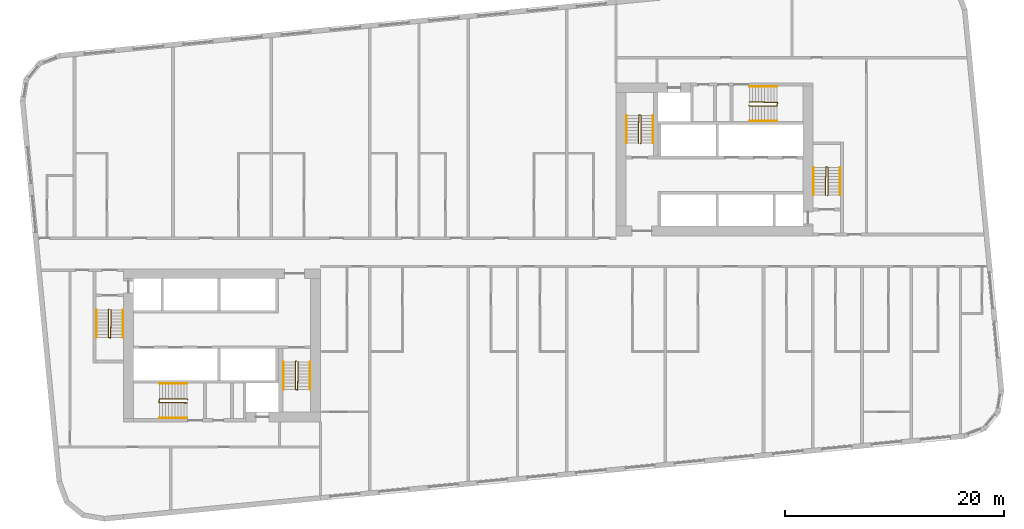
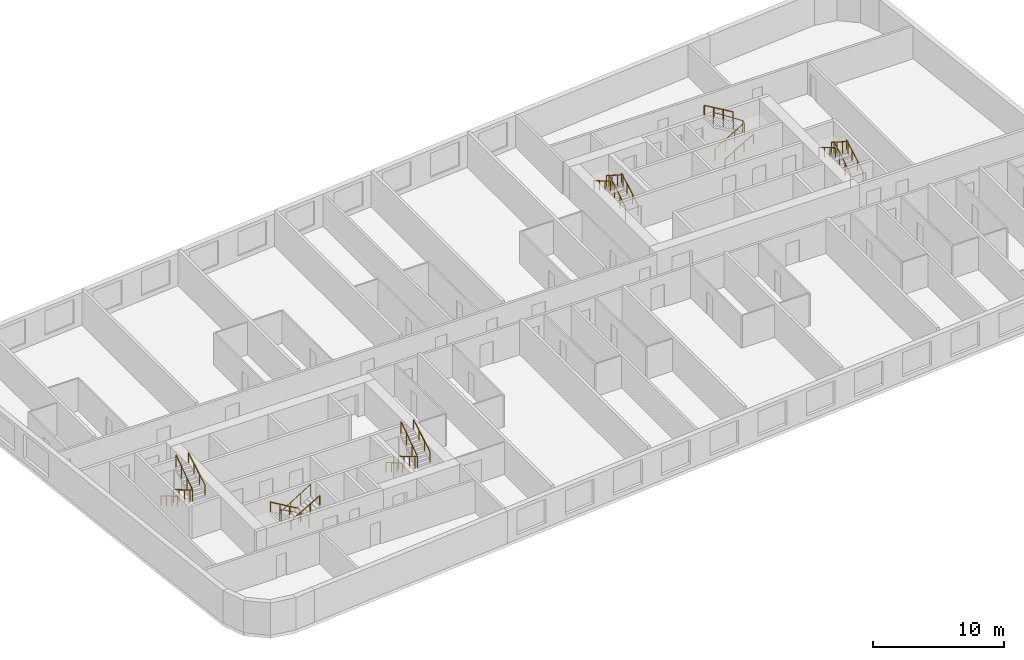
# One storey, part 12 of 12: 18 railings.
"""IFC4 building model written with IfcOpenShell, lengths in metres."""

from ifc_helpers import new_model, si_unit, direction, frame, origin, origin_2d, place, context, subcontext, project, spatial, circle, extrude, material, type_object, element, save


model = new_model("IFC4")

# Units and contexts
model_context = context("Model", 3, precision=1e-05, world=origin(), true_north=direction((0.0, 1.0)))
body_context = subcontext(model_context, "Body", "Model", "MODEL_VIEW")
ifc_project = project(units=[si_unit("LENGTHUNIT", "METRE"), si_unit("AREAUNIT", "SQUARE_METRE"), si_unit("VOLUMEUNIT", "CUBIC_METRE"), si_unit("PLANEANGLEUNIT", "RADIAN"), si_unit("MASSUNIT", "GRAM", prefix="KILO")], contexts=[model_context])

# Site, building, storey
site_placement = place(None, origin())
site = spatial("IfcSite", under=ifc_project, at=site_placement, CompositionType="ELEMENT")
building_placement = place(site_placement, origin())
building = spatial("IfcBuilding", under=site, at=building_placement, Name="Kajstack Hotel Tower", CompositionType="ELEMENT")
storey_placement = place(building_placement, frame((0.0, 0.0, 133.89990234375)))
storey = spatial("IfcBuildingStorey", under=building, at=storey_placement, Name="L30", CompositionType="ELEMENT", Elevation=133.89990234375)

# Railings
ifc_material = material(Name="Steel S355J2", Category="steel")
railing_type_1 = type_object("IfcRailingType", Name="Stair guard 1100", PredefinedType="GUARDRAIL", material=ifc_material)
railing_1_placement = place(storey_placement, frame((-32.85009765625, -5.199951171875, 0.0)))
element("IfcRailing", 1, at=railing_1_placement, inside=storey, type_object=railing_type_1, Name="L30 W1 stair guard 1", PredefinedType="GUARDRAIL", context=body_context, shape_type="SweptSolid", body=[
    extrude(circle(Radius=0.02392578125, at=origin_2d()), frame((0.0, 0.0, 1.076171875), z_axis=(-0.277450376394, -0.278810427259, 0.919394384522), x_axis=(0.708833529934, -0.705375805398, 0.0)), (0.0, 0.0, 1.0), 0.179443359375),
    extrude(circle(Radius=0.02392578125, at=origin_2d()), frame((-0.0498046875, -0.050048828125, 1.2412109375), z_axis=(0.0, -0.86152411907, 0.507716645641), x_axis=(1.0, 0.0, 0.0)), (0.0, 0.0, 1.0), 2.925048828125),
    extrude(circle(Radius=0.02392578125, at=origin_2d()), frame((-0.0498046875, -2.570068359375, 2.72607421875), z_axis=(0.970072785993, -0.242814311512, 0.0), x_axis=(0.242814311512, 0.970072785993, 0.0)), (0.0, 0.0, 1.0), 0.2060546875),
    extrude(circle(Radius=0.02392578125, at=origin_2d()), frame((0.150146484375, -2.6201171875, 2.72607421875), z_axis=(0.016385308676, 0.841405582595, 0.540155687962), x_axis=(-0.999810440751, 0.019470042781, 0.0)), (0.0, 0.0, 1.0), 3.054443359375),
    extrude(circle(Radius=0.02099609375, at=origin_2d()), origin(), (0.0, 0.0, 1.0), 1.052001953125),
    extrude(circle(Radius=0.02099609375, at=origin_2d()), frame((-0.0498046875, -0.050048828125, 0.1650390625)), (0.0, 0.0, 1.0), 1.052001953125),
    extrude(circle(Radius=0.02099609375, at=origin_2d()), frame((-0.0498046875, -0.89013671875, 0.66015625)), (0.0, 0.0, 1.0), 1.052001953125),
    extrude(circle(Radius=0.02099609375, at=origin_2d()), frame((-0.0498046875, -1.72998046875, 1.155029296875)), (0.0, 0.0, 1.0), 1.052001953125),
    extrude(circle(Radius=0.02099609375, at=origin_2d()), frame((-0.0498046875, -2.570068359375, 1.650146484375)), (0.0, 0.0, 1.0), 1.052001953125),
    extrude(circle(Radius=0.02099609375, at=origin_2d()), frame((0.150146484375, -2.6201171875, 1.650146484375)), (0.0, 0.0, 1.0), 1.052001953125),
    extrude(circle(Radius=0.02099609375, at=origin_2d()), frame((0.166748046875, -1.763427734375, 2.2001953125)), (0.0, 0.0, 1.0), 1.052001953125),
    extrude(circle(Radius=0.02099609375, at=origin_2d()), frame((0.18359375, -0.90673828125, 2.75)), (0.0, 0.0, 1.0), 1.052001953125),
    extrude(circle(Radius=0.02099609375, at=origin_2d()), frame((0.2001953125, -0.050048828125, 3.300048828125)), (0.0, 0.0, 1.0), 1.052001953125),
])
railing_2_placement = place(storey_placement, frame((-15.75, -9.949951171875, 0.0)))
element("IfcRailing", 2, at=railing_2_placement, inside=storey, type_object=railing_type_1, Name="L30 W2 stair guard 1", PredefinedType="GUARDRAIL", context=body_context, shape_type="SweptSolid", body=[
    extrude(circle(Radius=0.02392578125, at=origin_2d()), frame((0.0, 0.0, 1.076171875), z_axis=(-0.278705021027, -0.278705021027, 0.919046801044), x_axis=(0.707106781187, -0.707106781187, 0.0)), (0.0, 0.0, 1.0), 0.1796875),
    extrude(circle(Radius=0.02392578125, at=origin_2d()), frame((-0.050048828125, -0.050048828125, 1.2412109375), z_axis=(0.0, -0.86152411907, 0.507716645641), x_axis=(1.0, 0.0, 0.0)), (0.0, 0.0, 1.0), 2.925048828125),
    extrude(circle(Radius=0.02392578125, at=origin_2d()), frame((-0.050048828125, -2.570068359375, 2.72607421875), z_axis=(0.970072785993, -0.242814311512, 0.0), x_axis=(0.242814311512, 0.970072785993, 0.0)), (0.0, 0.0, 1.0), 0.2060546875),
    extrude(circle(Radius=0.02392578125, at=origin_2d()), frame((0.14990234375, -2.6201171875, 2.72607421875), z_axis=(0.016385308676, 0.841405582595, 0.540155687962), x_axis=(-0.999810440751, 0.019470042781, 0.0)), (0.0, 0.0, 1.0), 3.054443359375),
    extrude(circle(Radius=0.02099609375, at=origin_2d()), origin(), (0.0, 0.0, 1.0), 1.052001953125),
    extrude(circle(Radius=0.02099609375, at=origin_2d()), frame((-0.050048828125, -0.050048828125, 0.1650390625)), (0.0, 0.0, 1.0), 1.052001953125),
    extrude(circle(Radius=0.02099609375, at=origin_2d()), frame((-0.050048828125, -0.89013671875, 0.66015625)), (0.0, 0.0, 1.0), 1.052001953125),
    extrude(circle(Radius=0.02099609375, at=origin_2d()), frame((-0.050048828125, -1.72998046875, 1.155029296875)), (0.0, 0.0, 1.0), 1.052001953125),
    extrude(circle(Radius=0.02099609375, at=origin_2d()), frame((-0.050048828125, -2.570068359375, 1.650146484375)), (0.0, 0.0, 1.0), 1.052001953125),
    extrude(circle(Radius=0.02099609375, at=origin_2d()), frame((0.14990234375, -2.6201171875, 1.650146484375)), (0.0, 0.0, 1.0), 1.052001953125),
    extrude(circle(Radius=0.02099609375, at=origin_2d()), frame((0.16650390625, -1.763427734375, 2.2001953125)), (0.0, 0.0, 1.0), 1.052001953125),
    extrude(circle(Radius=0.02099609375, at=origin_2d()), frame((0.183349609375, -0.90673828125, 2.75)), (0.0, 0.0, 1.0), 1.052001953125),
    extrude(circle(Radius=0.02099609375, at=origin_2d()), frame((0.199951171875, -0.050048828125, 3.300048828125)), (0.0, 0.0, 1.0), 1.052001953125),
])
railing_3_placement = place(storey_placement, frame((-25.64990234375, -13.449951171875, 0.0)))
element("IfcRailing", 3, at=railing_3_placement, inside=storey, type_object=railing_type_1, Name="L30 W3 stair guard 1", PredefinedType="GUARDRAIL", context=body_context, shape_type="SweptSolid", body=[
    extrude(circle(Radius=0.02392578125, at=origin_2d()), frame((0.0, 0.0, 1.076171875), z_axis=(-0.278705021027, 0.278705021027, 0.919046801044), x_axis=(-0.707106781187, -0.707106781187, 0.0)), (0.0, 0.0, 1.0), 0.1796875),
    extrude(circle(Radius=0.02392578125, at=origin_2d()), frame((-0.050048828125, 0.050048828125, 1.2412109375), z_axis=(-0.86152411907, 0.0, 0.507716645641), x_axis=(0.0, -1.0, 0.0)), (0.0, 0.0, 1.0), 2.925048828125),
    extrude(circle(Radius=0.02392578125, at=origin_2d()), frame((-2.570068359375, 0.050048828125, 2.72607421875), z_axis=(-0.164529134168, -0.986372223864, 0.0), x_axis=(0.986372223864, -0.164529134168, 0.0)), (0.0, 0.0, 1.0), 0.30419921875),
    extrude(circle(Radius=0.02392578125, at=origin_2d()), frame((-2.6201171875, -0.25, 2.72607421875), z_axis=(0.841405582595, -0.016385308676, 0.540155687962), x_axis=(0.019470042781, 0.999810440751, 0.0)), (0.0, 0.0, 1.0), 3.054443359375),
    extrude(circle(Radius=0.02099609375, at=origin_2d()), origin(), (0.0, 0.0, 1.0), 1.052001953125),
    extrude(circle(Radius=0.02099609375, at=origin_2d()), frame((-0.050048828125, 0.050048828125, 0.1650390625)), (0.0, 0.0, 1.0), 1.052001953125),
    extrude(circle(Radius=0.02099609375, at=origin_2d()), frame((-0.89013671875, 0.050048828125, 0.66015625)), (0.0, 0.0, 1.0), 1.052001953125),
    extrude(circle(Radius=0.02099609375, at=origin_2d()), frame((-1.72998046875, 0.050048828125, 1.155029296875)), (0.0, 0.0, 1.0), 1.052001953125),
    extrude(circle(Radius=0.02099609375, at=origin_2d()), frame((-2.570068359375, 0.050048828125, 1.650146484375)), (0.0, 0.0, 1.0), 1.052001953125),
    extrude(circle(Radius=0.02099609375, at=origin_2d()), frame((-2.6201171875, -0.25, 1.650146484375)), (0.0, 0.0, 1.0), 1.052001953125),
    extrude(circle(Radius=0.02099609375, at=origin_2d()), frame((-1.763427734375, -0.2666015625, 2.2001953125)), (0.0, 0.0, 1.0), 1.052001953125),
    extrude(circle(Radius=0.02099609375, at=origin_2d()), frame((-0.90673828125, -0.283447265625, 2.75)), (0.0, 0.0, 1.0), 1.052001953125),
    extrude(circle(Radius=0.02099609375, at=origin_2d()), frame((-0.050048828125, -0.300048828125, 3.300048828125)), (0.0, 0.0, 1.0), 1.052001953125),
])
railing_4_placement = place(storey_placement, frame((32.85009765625, 5.199951171875, 0.0)))
element("IfcRailing", 4, at=railing_4_placement, inside=storey, type_object=railing_type_1, Name="L30 E1 stair guard 1", PredefinedType="GUARDRAIL", context=body_context, shape_type="SweptSolid", body=[
    extrude(circle(Radius=0.02392578125, at=origin_2d()), frame((0.0, 0.0, 1.076171875), z_axis=(0.277450376394, 0.278810427259, 0.919394384522), x_axis=(-0.708833529934, 0.705375805398, 0.0)), (0.0, 0.0, 1.0), 0.179443359375),
    extrude(circle(Radius=0.02392578125, at=origin_2d()), frame((0.0498046875, 0.050048828125, 1.2412109375), z_axis=(0.0, 0.86152411907, 0.507716645641), x_axis=(-1.0, 0.0, 0.0)), (0.0, 0.0, 1.0), 2.925048828125),
    extrude(circle(Radius=0.02392578125, at=origin_2d()), frame((0.0498046875, 2.570068359375, 2.72607421875), z_axis=(-0.970072785993, 0.242814311512, 0.0), x_axis=(-0.242814311512, -0.970072785993, 0.0)), (0.0, 0.0, 1.0), 0.2060546875),
    extrude(circle(Radius=0.02392578125, at=origin_2d()), frame((-0.150146484375, 2.6201171875, 2.72607421875), z_axis=(-0.016385308676, -0.841405582595, 0.540155687962), x_axis=(0.999810440751, -0.019470042781, 0.0)), (0.0, 0.0, 1.0), 3.054443359375),
    extrude(circle(Radius=0.02099609375, at=origin_2d()), origin(), (0.0, 0.0, 1.0), 1.052001953125),
    extrude(circle(Radius=0.02099609375, at=origin_2d()), frame((0.0498046875, 0.050048828125, 0.1650390625)), (0.0, 0.0, 1.0), 1.052001953125),
    extrude(circle(Radius=0.02099609375, at=origin_2d()), frame((0.0498046875, 0.89013671875, 0.66015625)), (0.0, 0.0, 1.0), 1.052001953125),
    extrude(circle(Radius=0.02099609375, at=origin_2d()), frame((0.0498046875, 1.72998046875, 1.155029296875)), (0.0, 0.0, 1.0), 1.052001953125),
    extrude(circle(Radius=0.02099609375, at=origin_2d()), frame((0.0498046875, 2.570068359375, 1.650146484375)), (0.0, 0.0, 1.0), 1.052001953125),
    extrude(circle(Radius=0.02099609375, at=origin_2d()), frame((-0.150146484375, 2.6201171875, 1.650146484375)), (0.0, 0.0, 1.0), 1.052001953125),
    extrude(circle(Radius=0.02099609375, at=origin_2d()), frame((-0.166748046875, 1.763427734375, 2.2001953125)), (0.0, 0.0, 1.0), 1.052001953125),
    extrude(circle(Radius=0.02099609375, at=origin_2d()), frame((-0.18359375, 0.90673828125, 2.75)), (0.0, 0.0, 1.0), 1.052001953125),
    extrude(circle(Radius=0.02099609375, at=origin_2d()), frame((-0.2001953125, 0.050048828125, 3.300048828125)), (0.0, 0.0, 1.0), 1.052001953125),
])
railing_5_placement = place(storey_placement, frame((15.75, 9.949951171875, 0.0)))
element("IfcRailing", 5, at=railing_5_placement, inside=storey, type_object=railing_type_1, Name="L30 E2 stair guard 1", PredefinedType="GUARDRAIL", context=body_context, shape_type="SweptSolid", body=[
    extrude(circle(Radius=0.02392578125, at=origin_2d()), frame((0.0, 0.0, 1.076171875), z_axis=(0.278705021027, 0.278705021027, 0.919046801044), x_axis=(-0.707106781187, 0.707106781187, 0.0)), (0.0, 0.0, 1.0), 0.1796875),
    extrude(circle(Radius=0.02392578125, at=origin_2d()), frame((0.050048828125, 0.050048828125, 1.2412109375), z_axis=(0.0, 0.86152411907, 0.507716645641), x_axis=(-1.0, 0.0, 0.0)), (0.0, 0.0, 1.0), 2.925048828125),
    extrude(circle(Radius=0.02392578125, at=origin_2d()), frame((0.050048828125, 2.570068359375, 2.72607421875), z_axis=(-0.970072785993, 0.242814311512, 0.0), x_axis=(-0.242814311512, -0.970072785993, 0.0)), (0.0, 0.0, 1.0), 0.2060546875),
    extrude(circle(Radius=0.02392578125, at=origin_2d()), frame((-0.14990234375, 2.6201171875, 2.72607421875), z_axis=(-0.016385308676, -0.841405582595, 0.540155687962), x_axis=(0.999810440751, -0.019470042781, 0.0)), (0.0, 0.0, 1.0), 3.054443359375),
    extrude(circle(Radius=0.02099609375, at=origin_2d()), origin(), (0.0, 0.0, 1.0), 1.052001953125),
    extrude(circle(Radius=0.02099609375, at=origin_2d()), frame((0.050048828125, 0.050048828125, 0.1650390625)), (0.0, 0.0, 1.0), 1.052001953125),
    extrude(circle(Radius=0.02099609375, at=origin_2d()), frame((0.050048828125, 0.89013671875, 0.66015625)), (0.0, 0.0, 1.0), 1.052001953125),
    extrude(circle(Radius=0.02099609375, at=origin_2d()), frame((0.050048828125, 1.72998046875, 1.155029296875)), (0.0, 0.0, 1.0), 1.052001953125),
    extrude(circle(Radius=0.02099609375, at=origin_2d()), frame((0.050048828125, 2.570068359375, 1.650146484375)), (0.0, 0.0, 1.0), 1.052001953125),
    extrude(circle(Radius=0.02099609375, at=origin_2d()), frame((-0.14990234375, 2.6201171875, 1.650146484375)), (0.0, 0.0, 1.0), 1.052001953125),
    extrude(circle(Radius=0.02099609375, at=origin_2d()), frame((-0.16650390625, 1.763427734375, 2.2001953125)), (0.0, 0.0, 1.0), 1.052001953125),
    extrude(circle(Radius=0.02099609375, at=origin_2d()), frame((-0.183349609375, 0.90673828125, 2.75)), (0.0, 0.0, 1.0), 1.052001953125),
    extrude(circle(Radius=0.02099609375, at=origin_2d()), frame((-0.199951171875, 0.050048828125, 3.300048828125)), (0.0, 0.0, 1.0), 1.052001953125),
])
railing_6_placement = place(storey_placement, frame((25.64990234375, 13.449951171875, 0.0)))
element("IfcRailing", 6, at=railing_6_placement, inside=storey, type_object=railing_type_1, Name="L30 E3 stair guard 1", PredefinedType="GUARDRAIL", context=body_context, shape_type="SweptSolid", body=[
    extrude(circle(Radius=0.02392578125, at=origin_2d()), frame((0.0, 0.0, 1.076171875), z_axis=(0.278705021027, -0.278705021027, 0.919046801044), x_axis=(0.707106781187, 0.707106781187, 0.0)), (0.0, 0.0, 1.0), 0.1796875),
    extrude(circle(Radius=0.02392578125, at=origin_2d()), frame((0.050048828125, -0.050048828125, 1.2412109375), z_axis=(0.86152411907, 0.0, 0.507716645641), x_axis=(0.0, 1.0, 0.0)), (0.0, 0.0, 1.0), 2.925048828125),
    extrude(circle(Radius=0.02392578125, at=origin_2d()), frame((2.570068359375, -0.050048828125, 2.72607421875), z_axis=(0.164529134168, 0.986372223864, 0.0), x_axis=(-0.986372223864, 0.164529134168, 0.0)), (0.0, 0.0, 1.0), 0.30419921875),
    extrude(circle(Radius=0.02392578125, at=origin_2d()), frame((2.6201171875, 0.25, 2.72607421875), z_axis=(-0.841405582595, 0.016385308676, 0.540155687962), x_axis=(-0.019470042781, -0.999810440751, 0.0)), (0.0, 0.0, 1.0), 3.054443359375),
    extrude(circle(Radius=0.02099609375, at=origin_2d()), origin(), (0.0, 0.0, 1.0), 1.052001953125),
    extrude(circle(Radius=0.02099609375, at=origin_2d()), frame((0.050048828125, -0.050048828125, 0.1650390625)), (0.0, 0.0, 1.0), 1.052001953125),
    extrude(circle(Radius=0.02099609375, at=origin_2d()), frame((0.89013671875, -0.050048828125, 0.66015625)), (0.0, 0.0, 1.0), 1.052001953125),
    extrude(circle(Radius=0.02099609375, at=origin_2d()), frame((1.72998046875, -0.050048828125, 1.155029296875)), (0.0, 0.0, 1.0), 1.052001953125),
    extrude(circle(Radius=0.02099609375, at=origin_2d()), frame((2.570068359375, -0.050048828125, 1.650146484375)), (0.0, 0.0, 1.0), 1.052001953125),
    extrude(circle(Radius=0.02099609375, at=origin_2d()), frame((2.6201171875, 0.25, 1.650146484375)), (0.0, 0.0, 1.0), 1.052001953125),
    extrude(circle(Radius=0.02099609375, at=origin_2d()), frame((1.763427734375, 0.2666015625, 2.2001953125)), (0.0, 0.0, 1.0), 1.052001953125),
    extrude(circle(Radius=0.02099609375, at=origin_2d()), frame((0.90673828125, 0.283447265625, 2.75)), (0.0, 0.0, 1.0), 1.052001953125),
    extrude(circle(Radius=0.02099609375, at=origin_2d()), frame((0.050048828125, 0.300048828125, 3.300048828125)), (0.0, 0.0, 1.0), 1.052001953125),
])
railing_type_2 = type_object("IfcRailingType", Name="Stair handrail 900", PredefinedType="HANDRAIL", material=ifc_material)
railing_7_placement = place(storey_placement, frame((-34.0, -5.25, 0.1650390625)))
element("IfcRailing", 7, at=railing_7_placement, inside=storey, type_object=railing_type_2, Name="L30 W1 stair handrail 1", PredefinedType="HANDRAIL", context=body_context, shape_type="SweptSolid", body=[
    extrude(circle(Radius=0.02392578125, at=origin_2d()), frame((0.0, 0.0, 0.8759765625), z_axis=(0.0, -0.86152411907, 0.507716645641), x_axis=(1.0, 0.0, 0.0)), (0.0, 0.0, 1.0), 2.925048828125),
    extrude(circle(Radius=0.02099609375, at=origin_2d()), origin(), (0.0, 0.0, 1.0), 0.851806640625),
    extrude(circle(Radius=0.02099609375, at=origin_2d()), frame((0.0, -0.840087890625, 0.4951171875)), (0.0, 0.0, 1.0), 0.851806640625),
    extrude(circle(Radius=0.02099609375, at=origin_2d()), frame((0.0, -1.679931640625, 0.989990234375)), (0.0, 0.0, 1.0), 0.851806640625),
    extrude(circle(Radius=0.02099609375, at=origin_2d()), frame((0.0, -2.52001953125, 1.485107421875)), (0.0, 0.0, 1.0), 0.851806640625),
])
railing_8_placement = place(storey_placement, frame((-31.550048828125, -7.77001953125, 1.815185546875)))
element("IfcRailing", 8, at=railing_8_placement, inside=storey, type_object=railing_type_2, Name="L30 W1 stair handrail 2", PredefinedType="HANDRAIL", context=body_context, shape_type="SweptSolid", body=[
    extrude(circle(Radius=0.02392578125, at=origin_2d()), frame((0.0, 0.0, 0.8759765625), z_axis=(0.0, 0.861560626758, 0.507654692109), x_axis=(-1.0, 0.0, 0.0)), (0.0, 0.0, 1.0), 2.925048828125),
    extrude(circle(Radius=0.02099609375, at=origin_2d()), origin(), (0.0, 0.0, 1.0), 0.851806640625),
    extrude(circle(Radius=0.02099609375, at=origin_2d()), frame((0.0, 0.840087890625, 0.494873046875)), (0.0, 0.0, 1.0), 0.851806640625),
    extrude(circle(Radius=0.02099609375, at=origin_2d()), frame((0.0, 1.679931640625, 0.989990234375)), (0.0, 0.0, 1.0), 0.851806640625),
    extrude(circle(Radius=0.02099609375, at=origin_2d()), frame((0.0, 2.52001953125, 1.48486328125)), (0.0, 0.0, 1.0), 0.851806640625),
])
railing_9_placement = place(storey_placement, frame((-16.89990234375, -10.0, 0.1650390625)))
element("IfcRailing", 9, at=railing_9_placement, inside=storey, type_object=railing_type_2, Name="L30 W2 stair handrail 1", PredefinedType="HANDRAIL", context=body_context, shape_type="SweptSolid", body=[
    extrude(circle(Radius=0.02392578125, at=origin_2d()), frame((0.0, 0.0, 0.8759765625), z_axis=(0.0, -0.86152411907, 0.507716645641), x_axis=(1.0, 0.0, 0.0)), (0.0, 0.0, 1.0), 2.925048828125),
    extrude(circle(Radius=0.02099609375, at=origin_2d()), origin(), (0.0, 0.0, 1.0), 0.851806640625),
    extrude(circle(Radius=0.02099609375, at=origin_2d()), frame((0.0, -0.840087890625, 0.4951171875)), (0.0, 0.0, 1.0), 0.851806640625),
    extrude(circle(Radius=0.02099609375, at=origin_2d()), frame((0.0, -1.679931640625, 0.989990234375)), (0.0, 0.0, 1.0), 0.851806640625),
    extrude(circle(Radius=0.02099609375, at=origin_2d()), frame((0.0, -2.52001953125, 1.485107421875)), (0.0, 0.0, 1.0), 0.851806640625),
])
railing_10_placement = place(storey_placement, frame((-14.449951171875, -12.52001953125, 1.815185546875)))
element("IfcRailing", 10, at=railing_10_placement, inside=storey, type_object=railing_type_2, Name="L30 W2 stair handrail 2", PredefinedType="HANDRAIL", context=body_context, shape_type="SweptSolid", body=[
    extrude(circle(Radius=0.02392578125, at=origin_2d()), frame((0.0, 0.0, 0.8759765625), z_axis=(0.0, 0.861560626758, 0.507654692109), x_axis=(-1.0, 0.0, 0.0)), (0.0, 0.0, 1.0), 2.925048828125),
    extrude(circle(Radius=0.02099609375, at=origin_2d()), origin(), (0.0, 0.0, 1.0), 0.851806640625),
    extrude(circle(Radius=0.02099609375, at=origin_2d()), frame((0.0, 0.840087890625, 0.494873046875)), (0.0, 0.0, 1.0), 0.851806640625),
    extrude(circle(Radius=0.02099609375, at=origin_2d()), frame((0.0, 1.679931640625, 0.989990234375)), (0.0, 0.0, 1.0), 0.851806640625),
    extrude(circle(Radius=0.02099609375, at=origin_2d()), frame((0.0, 2.52001953125, 1.48486328125)), (0.0, 0.0, 1.0), 0.851806640625),
])
railing_11_placement = place(storey_placement, frame((-25.699951171875, -12.0, 0.1650390625)))
element("IfcRailing", 11, at=railing_11_placement, inside=storey, type_object=railing_type_2, Name="L30 W3 stair handrail 1", PredefinedType="HANDRAIL", context=body_context, shape_type="SweptSolid", body=[
    extrude(circle(Radius=0.02392578125, at=origin_2d()), frame((0.0, 0.0, 0.8759765625), z_axis=(-0.86152411907, 0.0, 0.507716645641), x_axis=(0.0, -1.0, 0.0)), (0.0, 0.0, 1.0), 2.925048828125),
    extrude(circle(Radius=0.02099609375, at=origin_2d()), origin(), (0.0, 0.0, 1.0), 0.851806640625),
    extrude(circle(Radius=0.02099609375, at=origin_2d()), frame((-0.840087890625, 0.0, 0.4951171875)), (0.0, 0.0, 1.0), 0.851806640625),
    extrude(circle(Radius=0.02099609375, at=origin_2d()), frame((-1.679931640625, 0.0, 0.989990234375)), (0.0, 0.0, 1.0), 0.851806640625),
    extrude(circle(Radius=0.02099609375, at=origin_2d()), frame((-2.52001953125, 0.0, 1.485107421875)), (0.0, 0.0, 1.0), 0.851806640625),
])
railing_12_placement = place(storey_placement, frame((-28.219970703125, -15.14990234375, 1.815185546875)))
element("IfcRailing", 12, at=railing_12_placement, inside=storey, type_object=railing_type_2, Name="L30 W3 stair handrail 2", PredefinedType="HANDRAIL", context=body_context, shape_type="SweptSolid", body=[
    extrude(circle(Radius=0.02392578125, at=origin_2d()), frame((0.0, 0.0, 0.8759765625), z_axis=(0.861560626758, 0.0, 0.507654692109), x_axis=(0.0, 1.0, 0.0)), (0.0, 0.0, 1.0), 2.925048828125),
    extrude(circle(Radius=0.02099609375, at=origin_2d()), origin(), (0.0, 0.0, 1.0), 0.851806640625),
    extrude(circle(Radius=0.02099609375, at=origin_2d()), frame((0.840087890625, 0.0, 0.494873046875)), (0.0, 0.0, 1.0), 0.851806640625),
    extrude(circle(Radius=0.02099609375, at=origin_2d()), frame((1.679931640625, 0.0, 0.989990234375)), (0.0, 0.0, 1.0), 0.851806640625),
    extrude(circle(Radius=0.02099609375, at=origin_2d()), frame((2.52001953125, 0.0, 1.48486328125)), (0.0, 0.0, 1.0), 0.851806640625),
])
railing_13_placement = place(storey_placement, frame((34.0, 5.25, 0.1650390625)))
element("IfcRailing", 13, at=railing_13_placement, inside=storey, type_object=railing_type_2, Name="L30 E1 stair handrail 1", PredefinedType="HANDRAIL", context=body_context, shape_type="SweptSolid", body=[
    extrude(circle(Radius=0.02392578125, at=origin_2d()), frame((0.0, 0.0, 0.8759765625), z_axis=(0.0, 0.86152411907, 0.507716645641), x_axis=(-1.0, 0.0, 0.0)), (0.0, 0.0, 1.0), 2.925048828125),
    extrude(circle(Radius=0.02099609375, at=origin_2d()), origin(), (0.0, 0.0, 1.0), 0.851806640625),
    extrude(circle(Radius=0.02099609375, at=origin_2d()), frame((0.0, 0.840087890625, 0.4951171875)), (0.0, 0.0, 1.0), 0.851806640625),
    extrude(circle(Radius=0.02099609375, at=origin_2d()), frame((0.0, 1.679931640625, 0.989990234375)), (0.0, 0.0, 1.0), 0.851806640625),
    extrude(circle(Radius=0.02099609375, at=origin_2d()), frame((0.0, 2.52001953125, 1.485107421875)), (0.0, 0.0, 1.0), 0.851806640625),
])
railing_14_placement = place(storey_placement, frame((31.550048828125, 7.77001953125, 1.815185546875)))
element("IfcRailing", 14, at=railing_14_placement, inside=storey, type_object=railing_type_2, Name="L30 E1 stair handrail 2", PredefinedType="HANDRAIL", context=body_context, shape_type="SweptSolid", body=[
    extrude(circle(Radius=0.02392578125, at=origin_2d()), frame((0.0, 0.0, 0.8759765625), z_axis=(0.0, -0.861560626758, 0.507654692109), x_axis=(1.0, 0.0, 0.0)), (0.0, 0.0, 1.0), 2.925048828125),
    extrude(circle(Radius=0.02099609375, at=origin_2d()), origin(), (0.0, 0.0, 1.0), 0.851806640625),
    extrude(circle(Radius=0.02099609375, at=origin_2d()), frame((0.0, -0.840087890625, 0.494873046875)), (0.0, 0.0, 1.0), 0.851806640625),
    extrude(circle(Radius=0.02099609375, at=origin_2d()), frame((0.0, -1.679931640625, 0.989990234375)), (0.0, 0.0, 1.0), 0.851806640625),
    extrude(circle(Radius=0.02099609375, at=origin_2d()), frame((0.0, -2.52001953125, 1.48486328125)), (0.0, 0.0, 1.0), 0.851806640625),
])
railing_15_placement = place(storey_placement, frame((16.89990234375, 10.0, 0.1650390625)))
element("IfcRailing", 15, at=railing_15_placement, inside=storey, type_object=railing_type_2, Name="L30 E2 stair handrail 1", PredefinedType="HANDRAIL", context=body_context, shape_type="SweptSolid", body=[
    extrude(circle(Radius=0.02392578125, at=origin_2d()), frame((0.0, 0.0, 0.8759765625), z_axis=(0.0, 0.86152411907, 0.507716645641), x_axis=(-1.0, 0.0, 0.0)), (0.0, 0.0, 1.0), 2.925048828125),
    extrude(circle(Radius=0.02099609375, at=origin_2d()), origin(), (0.0, 0.0, 1.0), 0.851806640625),
    extrude(circle(Radius=0.02099609375, at=origin_2d()), frame((0.0, 0.840087890625, 0.4951171875)), (0.0, 0.0, 1.0), 0.851806640625),
    extrude(circle(Radius=0.02099609375, at=origin_2d()), frame((0.0, 1.679931640625, 0.989990234375)), (0.0, 0.0, 1.0), 0.851806640625),
    extrude(circle(Radius=0.02099609375, at=origin_2d()), frame((0.0, 2.52001953125, 1.485107421875)), (0.0, 0.0, 1.0), 0.851806640625),
])
railing_16_placement = place(storey_placement, frame((14.449951171875, 12.52001953125, 1.815185546875)))
element("IfcRailing", 16, at=railing_16_placement, inside=storey, type_object=railing_type_2, Name="L30 E2 stair handrail 2", PredefinedType="HANDRAIL", context=body_context, shape_type="SweptSolid", body=[
    extrude(circle(Radius=0.02392578125, at=origin_2d()), frame((0.0, 0.0, 0.8759765625), z_axis=(0.0, -0.861560626758, 0.507654692109), x_axis=(1.0, 0.0, 0.0)), (0.0, 0.0, 1.0), 2.925048828125),
    extrude(circle(Radius=0.02099609375, at=origin_2d()), origin(), (0.0, 0.0, 1.0), 0.851806640625),
    extrude(circle(Radius=0.02099609375, at=origin_2d()), frame((0.0, -0.840087890625, 0.494873046875)), (0.0, 0.0, 1.0), 0.851806640625),
    extrude(circle(Radius=0.02099609375, at=origin_2d()), frame((0.0, -1.679931640625, 0.989990234375)), (0.0, 0.0, 1.0), 0.851806640625),
    extrude(circle(Radius=0.02099609375, at=origin_2d()), frame((0.0, -2.52001953125, 1.48486328125)), (0.0, 0.0, 1.0), 0.851806640625),
])
railing_17_placement = place(storey_placement, frame((25.699951171875, 12.0, 0.1650390625)))
element("IfcRailing", 17, at=railing_17_placement, inside=storey, type_object=railing_type_2, Name="L30 E3 stair handrail 1", PredefinedType="HANDRAIL", context=body_context, shape_type="SweptSolid", body=[
    extrude(circle(Radius=0.02392578125, at=origin_2d()), frame((0.0, 0.0, 0.8759765625), z_axis=(0.86152411907, 0.0, 0.507716645641), x_axis=(0.0, 1.0, 0.0)), (0.0, 0.0, 1.0), 2.925048828125),
    extrude(circle(Radius=0.02099609375, at=origin_2d()), origin(), (0.0, 0.0, 1.0), 0.851806640625),
    extrude(circle(Radius=0.02099609375, at=origin_2d()), frame((0.840087890625, 0.0, 0.4951171875)), (0.0, 0.0, 1.0), 0.851806640625),
    extrude(circle(Radius=0.02099609375, at=origin_2d()), frame((1.679931640625, 0.0, 0.989990234375)), (0.0, 0.0, 1.0), 0.851806640625),
    extrude(circle(Radius=0.02099609375, at=origin_2d()), frame((2.52001953125, 0.0, 1.485107421875)), (0.0, 0.0, 1.0), 0.851806640625),
])
railing_18_placement = place(storey_placement, frame((28.219970703125, 15.14990234375, 1.815185546875)))
element("IfcRailing", 18, at=railing_18_placement, inside=storey, type_object=railing_type_2, Name="L30 E3 stair handrail 2", PredefinedType="HANDRAIL", context=body_context, shape_type="SweptSolid", body=[
    extrude(circle(Radius=0.02392578125, at=origin_2d()), frame((0.0, 0.0, 0.8759765625), z_axis=(-0.861560626758, 0.0, 0.507654692109), x_axis=(0.0, -1.0, 0.0)), (0.0, 0.0, 1.0), 2.925048828125),
    extrude(circle(Radius=0.02099609375, at=origin_2d()), origin(), (0.0, 0.0, 1.0), 0.851806640625),
    extrude(circle(Radius=0.02099609375, at=origin_2d()), frame((-0.840087890625, 0.0, 0.494873046875)), (0.0, 0.0, 1.0), 0.851806640625),
    extrude(circle(Radius=0.02099609375, at=origin_2d()), frame((-1.679931640625, 0.0, 0.989990234375)), (0.0, 0.0, 1.0), 0.851806640625),
    extrude(circle(Radius=0.02099609375, at=origin_2d()), frame((-2.52001953125, 0.0, 1.48486328125)), (0.0, 0.0, 1.0), 0.851806640625),
])

save(model, "model.ifc")
